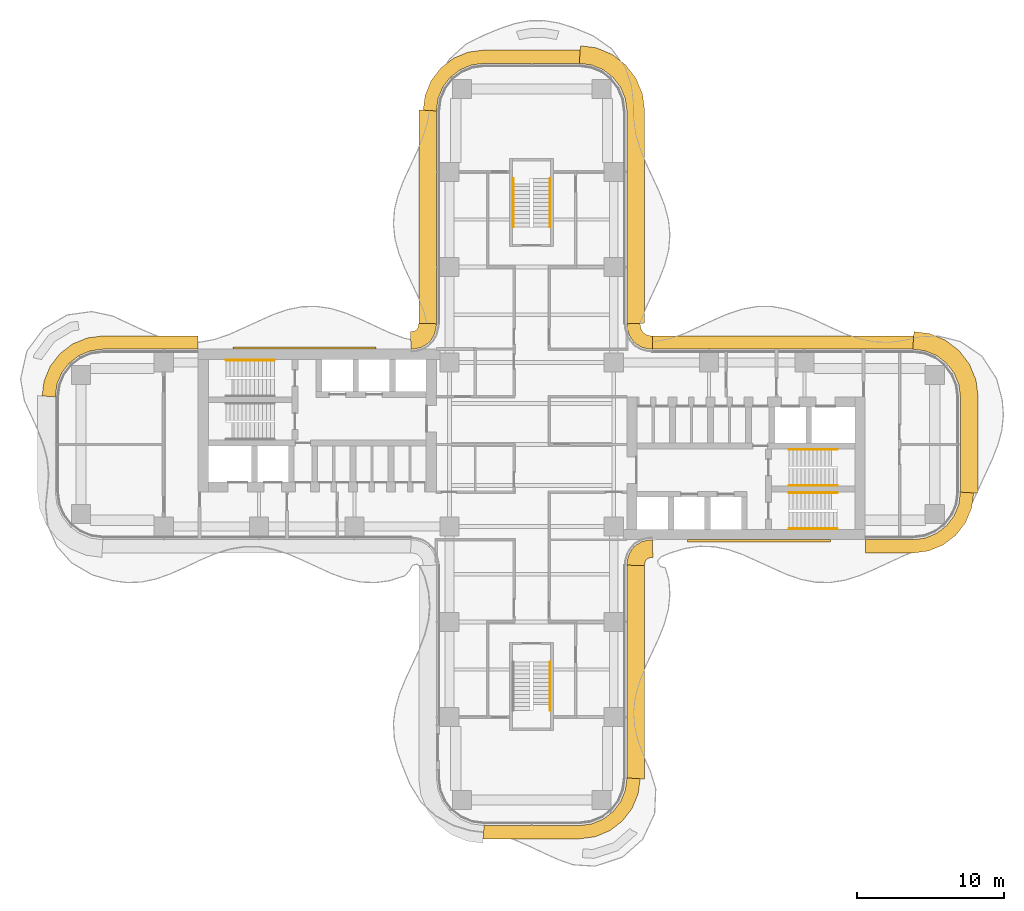
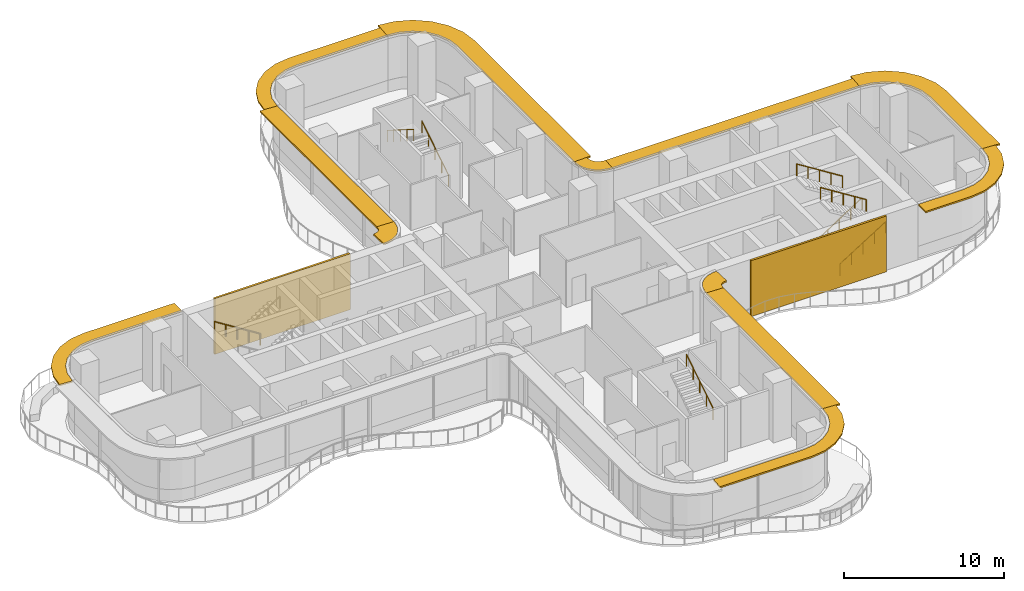
# One storey, part 21 of 21: 12 shading devices, 8 railings, 2 coverings.
"""IFC4 building model written with IfcOpenShell, lengths in metres."""

from ifc_helpers import new_model, si_unit, direction, frame, origin, origin_2d, place, context, subcontext, project, spatial, polyline, circle, outline, extrude, source, transform, mapped, material, layer, layer_set, type_object, element, save


model = new_model("IFC4")

# Units and contexts
model_context = context("Model", 3, precision=1e-05, world=origin(), true_north=direction((0.0, 1.0)))
body_context = subcontext(model_context, "Body", "Model", "MODEL_VIEW")
ifc_project = project(units=[si_unit("LENGTHUNIT", "METRE"), si_unit("AREAUNIT", "SQUARE_METRE"), si_unit("VOLUMEUNIT", "CUBIC_METRE"), si_unit("PLANEANGLEUNIT", "RADIAN"), si_unit("MASSUNIT", "GRAM", prefix="KILO")], contexts=[model_context])

# Site, building, storey
site_placement = place(None, origin())
site = spatial("IfcSite", under=ifc_project, at=site_placement, CompositionType="ELEMENT")
building_placement = place(site_placement, origin())
building = spatial("IfcBuilding", under=site, at=building_placement, Name="Trellis Farm Tower", CompositionType="ELEMENT")
storey_placement = place(building_placement, frame((0.0, 0.0, 147.0)))
storey = spatial("IfcBuildingStorey", under=building, at=storey_placement, Name="L31", CompositionType="ELEMENT", Elevation=147.0)

# Railings
ifc_material_1 = material(Name="Stainless steel", Category="steel")
railing_type = type_object("IfcRailingType", Name="STAIR HANDRAIL 900", PredefinedType="HANDRAIL", material=ifc_material_1)
shared_shape_1 = source(origin(), body_context, "Body", "SweptSolid", [
    extrude(circle(Radius=0.02392578125, at=origin_2d()), frame((0.0, 0.0, 0.8759765625), z_axis=(0.0, 0.846319618018, 0.532675421018), x_axis=(-1.0, 0.0, 0.0)), (0.0, 0.0, 1.0), 3.89892578125),
    extrude(circle(Radius=0.02099609375, at=origin_2d()), origin(), (0.0, 0.0, 1.0), 0.851806640625),
    extrude(circle(Radius=0.02099609375, at=origin_2d()), frame((0.0, 0.824951171875, 0.519287109375)), (0.0, 0.0, 1.0), 0.851806640625),
    extrude(circle(Radius=0.02099609375, at=origin_2d()), frame((0.0, 1.64990234375, 1.03857421875)), (0.0, 0.0, 1.0), 0.851806640625),
    extrude(circle(Radius=0.02099609375, at=origin_2d()), frame((0.0, 2.474853515625, 1.5576171875)), (0.0, 0.0, 1.0), 0.851806640625),
    extrude(circle(Radius=0.02099609375, at=origin_2d()), frame((0.0, 3.2998046875, 2.076904296875)), (0.0, 0.0, 1.0), 0.851806640625),
])
for number, where, name in (
    (1, (1.25, 14.85009765625, 0.173095703125), "Stair handrail"),
    (2, (1.25, -18.14990234375, 2.423095703125), "Stair handrail"),
):
    element("IfcRailing", number, at=place(storey_placement, frame(where)), inside=storey, type_object=railing_type, Name=name, PredefinedType="HANDRAIL", context=body_context, shape_type="MappedRepresentation", body=[
        mapped(shared_shape_1, transform((0.0, 0.0, 0.0))),
    ])
shared_shape_2 = source(origin(), body_context, "Body", "SweptSolid", [
    extrude(circle(Radius=0.02392578125, at=origin_2d()), frame((0.0, 0.0, 0.8759765625), z_axis=(0.0, -0.846319618018, 0.532675421018), x_axis=(1.0, 0.0, 0.0)), (0.0, 0.0, 1.0), 3.89892578125),
    extrude(circle(Radius=0.02099609375, at=origin_2d()), origin(), (0.0, 0.0, 1.0), 0.851806640625),
    extrude(circle(Radius=0.02099609375, at=origin_2d()), frame((0.0, -0.824951171875, 0.519287109375)), (0.0, 0.0, 1.0), 0.851806640625),
    extrude(circle(Radius=0.02099609375, at=origin_2d()), frame((0.0, -1.64990234375, 1.03857421875)), (0.0, 0.0, 1.0), 0.851806640625),
    extrude(circle(Radius=0.02099609375, at=origin_2d()), frame((0.0, -2.474853515625, 1.5576171875)), (0.0, 0.0, 1.0), 0.851806640625),
    extrude(circle(Radius=0.02099609375, at=origin_2d()), frame((0.0, -3.2998046875, 2.076904296875)), (0.0, 0.0, 1.0), 0.851806640625),
])
railing_placement = place(storey_placement, frame((-1.25, 18.14990234375, 2.423095703125)))
element("IfcRailing", 3, at=railing_placement, inside=storey, type_object=railing_type, Name="Stair handrail", PredefinedType="HANDRAIL", context=body_context, shape_type="MappedRepresentation", body=[
    mapped(shared_shape_2, transform((0.0, 0.0, 0.0))),
])
shared_shape_3 = source(origin(), body_context, "Body", "SweptSolid", [
    extrude(circle(Radius=0.02392578125, at=origin_2d()), frame((0.0, 0.0, 0.8759765625), z_axis=(0.846337383501, 0.0, 0.532647194011), x_axis=(0.0, 1.0, 0.0)), (0.0, 0.0, 1.0), 3.899169921875),
    extrude(circle(Radius=0.02099609375, at=origin_2d()), origin(), (0.0, 0.0, 1.0), 0.851806640625),
    extrude(circle(Radius=0.02099609375, at=origin_2d()), frame((0.824951171875, 0.0, 0.519287109375)), (0.0, 0.0, 1.0), 0.851806640625),
    extrude(circle(Radius=0.02099609375, at=origin_2d()), frame((1.64990234375, 0.0, 1.03857421875)), (0.0, 0.0, 1.0), 0.851806640625),
    extrude(circle(Radius=0.02099609375, at=origin_2d()), frame((2.47509765625, 0.0, 1.5576171875)), (0.0, 0.0, 1.0), 0.851806640625),
    extrude(circle(Radius=0.02099609375, at=origin_2d()), frame((3.300048828125, 0.0, 2.076904296875)), (0.0, 0.0, 1.0), 0.851806640625),
])
for number, where, name in (
    (4, (17.550048828125, -5.75, 0.173095703125), "Stair handrail"),
    (5, (17.550048828125, -2.800048828125, 0.173095703125), "Stair handrail"),
):
    element("IfcRailing", number, at=place(storey_placement, frame(where)), inside=storey, type_object=railing_type, Name=name, PredefinedType="HANDRAIL", context=body_context, shape_type="MappedRepresentation", body=[
        mapped(shared_shape_3, transform((0.0, 0.0, 0.0))),
    ])
shared_shape_4 = source(origin(), body_context, "Body", "SweptSolid", [
    extrude(circle(Radius=0.02392578125, at=origin_2d()), frame((0.0, 0.0, 0.8759765625), z_axis=(-0.846337383501, 0.0, 0.532647194011), x_axis=(0.0, -1.0, 0.0)), (0.0, 0.0, 1.0), 3.899169921875),
    extrude(circle(Radius=0.02099609375, at=origin_2d()), origin(), (0.0, 0.0, 1.0), 0.851806640625),
    extrude(circle(Radius=0.02099609375, at=origin_2d()), frame((-0.824951171875, 0.0, 0.519287109375)), (0.0, 0.0, 1.0), 0.851806640625),
    extrude(circle(Radius=0.02099609375, at=origin_2d()), frame((-1.64990234375, 0.0, 1.03857421875)), (0.0, 0.0, 1.0), 0.851806640625),
    extrude(circle(Radius=0.02099609375, at=origin_2d()), frame((-2.47509765625, 0.0, 1.5576171875)), (0.0, 0.0, 1.0), 0.851806640625),
    extrude(circle(Radius=0.02099609375, at=origin_2d()), frame((-3.300048828125, 0.0, 2.076904296875)), (0.0, 0.0, 1.0), 0.851806640625),
])
for number, where, name in (
    (6, (20.85009765625, -3.300048828125, 2.423095703125), "Stair handrail"),
    (7, (20.85009765625, -0.35009765625, 2.423095703125), "Stair handrail"),
    (8, (-17.550048828125, 5.75, 0.173095703125), "Stair handrail"),
):
    element("IfcRailing", number, at=place(storey_placement, frame(where)), inside=storey, type_object=railing_type, Name=name, PredefinedType="HANDRAIL", context=body_context, shape_type="MappedRepresentation", body=[
        mapped(shared_shape_4, transform((0.0, 0.0, 0.0))),
    ])

# Shading devices
ifc_material_2 = material(Name="Aluminium extrusion 6063-T6", Category="aluminium")
ifc_layer_1 = layer(ifc_material_2, 0.1201171875)
ifc_layer_set_1 = layer_set([ifc_layer_1], Name="SUNSHADE BLADE 1200")
shading_device_type_1 = type_object("IfcShadingDeviceType", Name="SUNSHADE BLADE 1200", PredefinedType="USERDEFINED", material=ifc_layer_set_1)
shared_shape_5 = source(origin(), body_context, "Body", "SweptSolid", [
    extrude(outline(polyline([(7.699951171875, -8.270751953125), (7.708740234375, -8.13720703125), (7.70703125, -8.150146484375), (7.7548828125, -7.9716796875), (7.80712890625, -7.881103515625), (7.881103515625, -7.80712890625), (7.9716796875, -7.7548828125), (8.150146484375, -7.70703125), (8.13720703125, -7.708740234375), (8.270751953125, -7.699951171875), (8.2314453125, -6.5), (8.01953125, -6.513916015625), (7.91552734375, -6.527587890625), (7.508544921875, -6.63671875), (7.144287109375, -6.846923828125), (6.846923828125, -7.144287109375), (6.63671875, -7.508544921875), (6.527587890625, -7.91552734375), (6.513916015625, -8.01953125), (6.5, -8.2314453125), (7.699951171875, -8.270751953125)])), origin(), (0.0, 0.0, 1.0), 0.119873046875),
])
placement_1 = place(storey_placement, frame((0.0, 0.0, 4.090087890625)))
element("IfcShadingDevice", 9, at=placement_1, inside=storey, type_object=shading_device_type_1, Name="SD2 006", ObjectType="SUNSHADE", PredefinedType="USERDEFINED", context=body_context, shape_type="MappedRepresentation", body=[
    mapped(shared_shape_5, transform((0.0, 0.0, 0.0))),
])
ifc_layer_2 = layer(ifc_material_2, 0.1201171875)
ifc_layer_set_2 = layer_set([ifc_layer_2], Name="SUNSHADE BLADE 900")
shading_device_type_2 = type_object("IfcShadingDeviceType", Name="SUNSHADE BLADE 900", PredefinedType="USERDEFINED", material=ifc_layer_set_2)
shared_shape_6 = source(origin(), body_context, "Body", "SweptSolid", [
    extrude(outline(polyline([(8.2607421875, 7.39990234375), (8.107666015625, 7.409912109375), (8.091552734375, 7.412109375), (7.85595703125, 7.475341796875), (7.697021484375, 7.567138671875), (7.567138671875, 7.697021484375), (7.475341796875, 7.85595703125), (7.412109375, 8.091552734375), (7.409912109375, 8.107666015625), (7.39990234375, 8.2607421875), (6.5, 8.2314453125), (6.513916015625, 8.01953125), (6.527587890625, 7.91552734375), (6.63671875, 7.508544921875), (6.846923828125, 7.144287109375), (7.144287109375, 6.846923828125), (7.508544921875, 6.63671875), (7.91552734375, 6.527587890625), (8.01953125, 6.513916015625), (8.2314453125, 6.5), (8.2607421875, 7.39990234375)])), origin(), (0.0, 0.0, 1.0), 0.119873046875),
])
element("IfcShadingDevice", 10, at=placement_1, inside=storey, type_object=shading_device_type_2, Name="SD1 010", ObjectType="SUNSHADE", PredefinedType="USERDEFINED", context=body_context, shape_type="MappedRepresentation", body=[
    mapped(shared_shape_6, transform((0.0, 0.0, 0.0))),
])
shared_shape_7 = source(origin(), body_context, "Body", "SweptSolid", [
    extrude(outline(polyline([(-7.699951171875, 8.270751953125), (-7.708740234375, 8.13720703125), (-7.70703125, 8.150146484375), (-7.7548828125, 7.9716796875), (-7.80712890625, 7.881103515625), (-7.881103515625, 7.80712890625), (-7.9716796875, 7.7548828125), (-8.150146484375, 7.70703125), (-8.13720703125, 7.708740234375), (-8.270751953125, 7.699951171875), (-8.2314453125, 6.5), (-8.01953125, 6.513916015625), (-7.91552734375, 6.527587890625), (-7.508544921875, 6.63671875), (-7.144287109375, 6.846923828125), (-6.846923828125, 7.144287109375), (-6.63671875, 7.508544921875), (-6.527587890625, 7.91552734375), (-6.513916015625, 8.01953125), (-6.5, 8.2314453125), (-7.699951171875, 8.270751953125)])), origin(), (0.0, 0.0, 1.0), 0.119873046875),
])
element("IfcShadingDevice", 11, at=placement_1, inside=storey, type_object=shading_device_type_1, Name="SD2 014", ObjectType="SUNSHADE", PredefinedType="USERDEFINED", context=body_context, shape_type="MappedRepresentation", body=[
    mapped(shared_shape_7, transform((0.0, 0.0, 0.0))),
])
shared_shape_8 = source(origin(), body_context, "Body", "SweptSolid", [
    extrude(outline(polyline([(-22.780029296875, 7.39990234375), (-29.30908203125, 7.39990234375), (-30.326171875, 7.26611328125), (-31.328857421875, 6.850830078125), (-32.18994140625, 6.18994140625), (-32.850830078125, 5.328857421875), (-33.26611328125, 4.326171875), (-33.39990234375, 3.30908203125), (-32.5, 3.25), (-32.38916015625, 4.091064453125), (-32.064697265625, 4.875), (-31.548095703125, 5.548095703125), (-30.875, 6.064697265625), (-30.091064453125, 6.38916015625), (-29.25, 6.5), (-22.780029296875, 6.5), (-22.780029296875, 7.39990234375)])), origin(), (0.0, 0.0, 1.0), 0.119873046875),
])
element("IfcShadingDevice", 12, at=placement_1, inside=storey, type_object=shading_device_type_2, Name="SD1 015", ObjectType="SUNSHADE", PredefinedType="USERDEFINED", context=body_context, shape_type="MappedRepresentation", body=[
    mapped(shared_shape_8, transform((0.0, 0.0, 0.0))),
])

# Coverings
ifc_material_3 = material(Name="Perforated precast screen (cobogo)", Category="concrete")
ifc_layer_3 = layer(ifc_material_3, 0.14990234375)
ifc_layer_set_3 = layer_set([ifc_layer_3], Name="COBOGO SCREEN PANEL")
covering_type = type_object("IfcCoveringType", Name="COBOGO SCREEN PANEL", PredefinedType="USERDEFINED", material=ifc_layer_set_3)
shared_shape_9 = source(origin(), body_context, "Body", "SweptSolid", [
    extrude(outline(polyline([(10.630615234375, -6.64990234375), (20.380615234375, -6.64990234375), (20.380615234375, -6.5), (10.630615234375, -6.5), (10.630615234375, -6.64990234375)])), origin(), (0.0, 0.0, 1.0), 4.25),
])
placement_2 = place(storey_placement, origin())
element("IfcCovering", 13, at=placement_2, inside=storey, type_object=covering_type, Name="SC1 01", ObjectType="SCREEN", PredefinedType="USERDEFINED", context=body_context, shape_type="MappedRepresentation", body=[
    mapped(shared_shape_9, transform((0.0, 0.0, 0.0))),
])
shared_shape_10 = source(origin(), body_context, "Body", "SweptSolid", [
    extrude(outline(polyline([(-10.630615234375, 6.64990234375), (-20.380615234375, 6.64990234375), (-20.380615234375, 6.5), (-10.630615234375, 6.5), (-10.630615234375, 6.64990234375)])), origin(), (0.0, 0.0, 1.0), 4.25),
])
element("IfcCovering", 14, at=placement_2, inside=storey, type_object=covering_type, Name="SC1 02", ObjectType="SCREEN", PredefinedType="USERDEFINED", context=body_context, shape_type="MappedRepresentation", body=[
    mapped(shared_shape_10, transform((0.0, 0.0, 0.0))),
])

# Shading devices
shared_shape_11 = source(origin(), body_context, "Body", "SweptSolid", [
    extrude(outline(polyline([(7.699951171875, 8.270751953125), (7.699951171875, 22.82861328125), (7.558349609375, 23.904541015625), (7.11279296875, 24.980224609375), (6.404052734375, 25.904052734375), (5.480224609375, 26.61279296875), (4.404541015625, 27.058349609375), (3.32861328125, 27.199951171875), (3.25, 26.0), (4.091064453125, 25.88916015625), (4.875, 25.564697265625), (5.548095703125, 25.048095703125), (6.064697265625, 24.375), (6.38916015625, 23.591064453125), (6.5, 22.75), (6.5, 8.2314453125), (7.699951171875, 8.270751953125)])), origin(), (0.0, 0.0, 1.0), 0.119873046875),
])
element("IfcShadingDevice", 15, at=placement_1, inside=storey, type_object=shading_device_type_1, Name="SD2 011", ObjectType="SUNSHADE", PredefinedType="USERDEFINED", context=body_context, shape_type="MappedRepresentation", body=[
    mapped(shared_shape_11, transform((0.0, 0.0, 0.0))),
])
shared_shape_12 = source(origin(), body_context, "Body", "SweptSolid", [
    extrude(outline(polyline([(3.30908203125, 26.89990234375), (-3.30908203125, 26.89990234375), (-4.326171875, 26.76611328125), (-5.328857421875, 26.350830078125), (-6.18994140625, 25.68994140625), (-6.850830078125, 24.828857421875), (-7.26611328125, 23.826171875), (-7.39990234375, 22.80908203125), (-6.5, 22.75), (-6.38916015625, 23.591064453125), (-6.064697265625, 24.375), (-5.548095703125, 25.048095703125), (-4.875, 25.564697265625), (-4.091064453125, 25.88916015625), (-3.25, 26.0), (3.25, 26.0), (3.30908203125, 26.89990234375)])), origin(), (0.0, 0.0, 1.0), 0.119873046875),
])
element("IfcShadingDevice", 16, at=placement_1, inside=storey, type_object=shading_device_type_2, Name="SD1 012", ObjectType="SUNSHADE", PredefinedType="USERDEFINED", context=body_context, shape_type="MappedRepresentation", body=[
    mapped(shared_shape_12, transform((0.0, 0.0, 0.0))),
])
shared_shape_13 = source(origin(), body_context, "Body", "SweptSolid", [
    extrude(outline(polyline([(-7.699951171875, 22.82861328125), (-7.699951171875, 8.270751953125), (-6.5, 8.2314453125), (-6.5, 22.75), (-7.699951171875, 22.82861328125)])), origin(), (0.0, 0.0, 1.0), 0.119873046875),
])
element("IfcShadingDevice", 17, at=placement_1, inside=storey, type_object=shading_device_type_1, Name="SD2 013", ObjectType="SUNSHADE", PredefinedType="USERDEFINED", context=body_context, shape_type="MappedRepresentation", body=[
    mapped(shared_shape_13, transform((0.0, 0.0, 0.0))),
])
shared_shape_14 = source(origin(), body_context, "Body", "SweptSolid", [
    extrude(outline(polyline([(22.780029296875, -7.39990234375), (26.05908203125, -7.39990234375), (27.076171875, -7.26611328125), (28.078857421875, -6.850830078125), (28.93994140625, -6.18994140625), (29.600830078125, -5.328857421875), (30.01611328125, -4.326171875), (30.14990234375, -3.30908203125), (29.25, -3.25), (29.13916015625, -4.091064453125), (28.814697265625, -4.875), (28.298095703125, -5.548095703125), (27.625, -6.064697265625), (26.841064453125, -6.38916015625), (26.0, -6.5), (22.780029296875, -6.5), (22.780029296875, -7.39990234375)])), origin(), (0.0, 0.0, 1.0), 0.119873046875),
])
element("IfcShadingDevice", 18, at=placement_1, inside=storey, type_object=shading_device_type_2, Name="SD1 007", ObjectType="SUNSHADE", PredefinedType="USERDEFINED", context=body_context, shape_type="MappedRepresentation", body=[
    mapped(shared_shape_14, transform((0.0, 0.0, 0.0))),
])
shared_shape_15 = source(origin(), body_context, "Body", "SweptSolid", [
    extrude(outline(polyline([(30.449951171875, -3.32861328125), (30.449951171875, 3.32861328125), (30.308349609375, 4.404541015625), (29.86279296875, 5.480224609375), (29.154052734375, 6.404052734375), (28.230224609375, 7.11279296875), (27.154541015625, 7.558349609375), (26.07861328125, 7.699951171875), (26.0, 6.5), (26.841064453125, 6.38916015625), (27.625, 6.064697265625), (28.298095703125, 5.548095703125), (28.814697265625, 4.875), (29.13916015625, 4.091064453125), (29.25, 3.25), (29.25, -3.25), (30.449951171875, -3.32861328125)])), origin(), (0.0, 0.0, 1.0), 0.119873046875),
])
element("IfcShadingDevice", 19, at=placement_1, inside=storey, type_object=shading_device_type_1, Name="SD2 008", ObjectType="SUNSHADE", PredefinedType="USERDEFINED", context=body_context, shape_type="MappedRepresentation", body=[
    mapped(shared_shape_15, transform((0.0, 0.0, 0.0))),
])
shared_shape_16 = source(origin(), body_context, "Body", "SweptSolid", [
    extrude(outline(polyline([(26.05908203125, 7.39990234375), (8.2607421875, 7.39990234375), (8.2314453125, 6.5), (26.0, 6.5), (26.05908203125, 7.39990234375)])), origin(), (0.0, 0.0, 1.0), 0.119873046875),
])
element("IfcShadingDevice", 20, at=placement_1, inside=storey, type_object=shading_device_type_2, Name="SD1 009", ObjectType="SUNSHADE", PredefinedType="USERDEFINED", context=body_context, shape_type="MappedRepresentation", body=[
    mapped(shared_shape_16, transform((0.0, 0.0, 0.0))),
])
shared_shape_17 = source(origin(), body_context, "Body", "SweptSolid", [
    extrude(outline(polyline([(-3.30908203125, -26.89990234375), (3.30908203125, -26.89990234375), (4.326171875, -26.76611328125), (5.328857421875, -26.350830078125), (6.18994140625, -25.68994140625), (6.850830078125, -24.828857421875), (7.26611328125, -23.826171875), (7.39990234375, -22.80908203125), (6.5, -22.75), (6.38916015625, -23.591064453125), (6.064697265625, -24.375), (5.548095703125, -25.048095703125), (4.875, -25.564697265625), (4.091064453125, -25.88916015625), (3.25, -26.0), (-3.25, -26.0), (-3.30908203125, -26.89990234375)])), origin(), (0.0, 0.0, 1.0), 0.119873046875),
])
element("IfcShadingDevice", 21, at=placement_1, inside=storey, type_object=shading_device_type_2, Name="SD1 004", ObjectType="SUNSHADE", PredefinedType="USERDEFINED", context=body_context, shape_type="MappedRepresentation", body=[
    mapped(shared_shape_17, transform((0.0, 0.0, 0.0))),
])
shared_shape_18 = source(origin(), body_context, "Body", "SweptSolid", [
    extrude(outline(polyline([(7.699951171875, -22.82861328125), (7.699951171875, -8.270751953125), (6.5, -8.2314453125), (6.5, -22.75), (7.699951171875, -22.82861328125)])), origin(), (0.0, 0.0, 1.0), 0.119873046875),
])
element("IfcShadingDevice", 22, at=placement_1, inside=storey, type_object=shading_device_type_1, Name="SD2 005", ObjectType="SUNSHADE", PredefinedType="USERDEFINED", context=body_context, shape_type="MappedRepresentation", body=[
    mapped(shared_shape_18, transform((0.0, 0.0, 0.0))),
])

save(model, "model.ifc")
